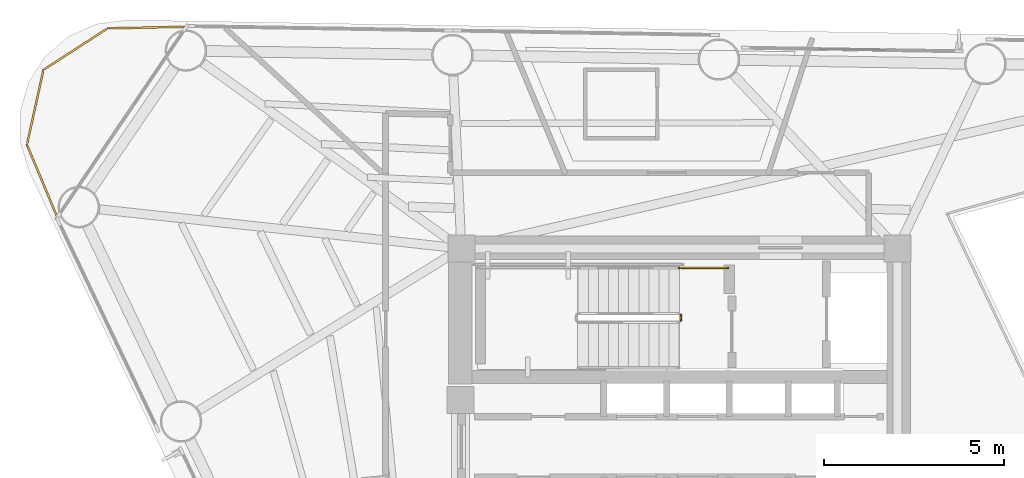
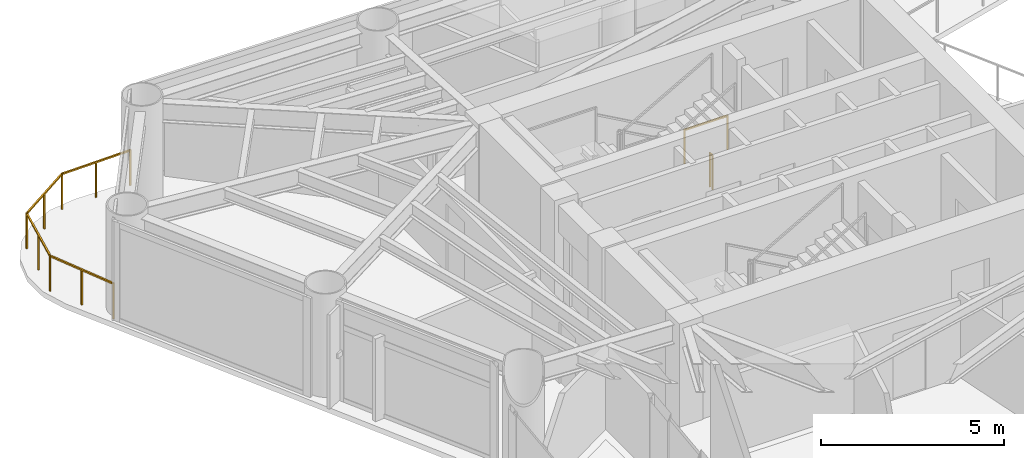
# One storey, part 8 of 9: 3 railings.
"""IFC4 building model written with IfcOpenShell, lengths in metres."""

from ifc_helpers import new_model, si_unit, direction, frame, origin, origin_2d, place, context, subcontext, project, spatial, rectangle, extrude, material, type_object, element, save


model = new_model("IFC4")

# Units and contexts
model_context = context("Model", 3, precision=1e-05, world=origin(), true_north=direction((0.0, 1.0)))
body_context = subcontext(model_context, "Body", "Model", "MODEL_VIEW")
ifc_project = project(units=[si_unit("LENGTHUNIT", "METRE"), si_unit("AREAUNIT", "SQUARE_METRE"), si_unit("VOLUMEUNIT", "CUBIC_METRE"), si_unit("PLANEANGLEUNIT", "RADIAN"), si_unit("MASSUNIT", "GRAM", prefix="KILO")], contexts=[model_context])

# Site, building, storey
site_placement = place(None, origin())
site = spatial("IfcSite", under=ifc_project, at=site_placement, CompositionType="ELEMENT")
building_placement = place(site_placement, origin())
building = spatial("IfcBuilding", under=site, at=building_placement, Name="Yunling Apex Tower", CompositionType="ELEMENT")
storey_placement = place(building_placement, frame((0.0, 0.0, 212.14990234375)))
storey = spatial("IfcBuildingStorey", under=building, at=storey_placement, Name="L52", CompositionType="ELEMENT", Elevation=212.14990234375)

# Railings
ifc_material_1 = material(Name="Bronze anodised aluminium", Category="aluminium")
railing_type_1 = type_object("IfcRailingType", Name="RL-BAL-1200", PredefinedType="BALUSTRADE", material=ifc_material_1)
railing_1_placement = place(storey_placement, frame((-17.253662109375, 6.364990234375, 0.0)))
element("IfcRailing", 1, at=railing_1_placement, inside=storey, type_object=railing_type_1, Name="RL-CRNSILL-L52-2", PredefinedType="BALUSTRADE", context=body_context, shape_type="SweptSolid", body=[
    extrude(rectangle(XDim=0.0439453125, YDim=0.0439453125, at=origin_2d()), origin(), (0.0, 0.0, 1.0), 1.199951171875),
    extrude(rectangle(XDim=0.0439453125, YDim=0.0439453125, at=origin_2d()), frame((-0.842529296875, 2.01416015625, 0.0)), (0.0, 0.0, 1.0), 1.199951171875),
    extrude(rectangle(XDim=0.050048828125, YDim=0.050048828125, at=origin_2d()), frame((-0.014892578125, 0.035400390625, 1.1748046875), z_axis=(-0.385901306975, 0.922540070282, 0.0), x_axis=(-0.922540070282, -0.385901306975, 0.0)), (0.0, 0.0, 1.0), 2.106689453125),
    extrude(rectangle(XDim=0.0439453125, YDim=0.0439453125, at=origin_2d()), frame((-0.42138671875, 1.007080078125, 0.0)), (0.0, 0.0, 1.0), 1.14599609375),
    extrude(rectangle(XDim=0.0439453125, YDim=0.0439453125, at=origin_2d()), frame((-0.384521484375, 4.089111328125, 0.0)), (0.0, 0.0, 1.0), 1.199951171875),
    extrude(rectangle(XDim=0.050048828125, YDim=0.050048828125, at=origin_2d()), frame((-0.834228515625, 2.051513671875, 1.1748046875), z_axis=(0.215543386307, 0.976494264509, 0.0), x_axis=(-0.976494264509, 0.215543386307, 0.0)), (0.0, 0.0, 1.0), 2.04833984375),
    extrude(rectangle(XDim=0.0439453125, YDim=0.0439453125, at=origin_2d()), frame((-0.613525390625, 3.0517578125, 0.0)), (0.0, 0.0, 1.0), 1.14599609375),
    extrude(rectangle(XDim=0.0439453125, YDim=0.0439453125, at=origin_2d()), frame((1.393310546875, 5.240234375, 0.0)), (0.0, 0.0, 1.0), 1.199951171875),
    extrude(rectangle(XDim=0.050048828125, YDim=0.050048828125, at=origin_2d()), frame((-0.352294921875, 4.10986328125, 1.1748046875), z_axis=(0.839406208654, 0.543504569322, 0.0), x_axis=(-0.543504569322, 0.839406208654, 0.0)), (0.0, 0.0, 1.0), 2.041259765625),
    extrude(rectangle(XDim=0.0439453125, YDim=0.0439453125, at=origin_2d()), frame((0.50439453125, 4.66455078125, 0.0)), (0.0, 0.0, 1.0), 1.14599609375),
    extrude(rectangle(XDim=0.0439453125, YDim=0.0439453125, at=origin_2d()), frame((3.5771484375, 5.284423828125, 0.0)), (0.0, 0.0, 1.0), 1.199951171875),
    extrude(rectangle(XDim=0.050048828125, YDim=0.050048828125, at=origin_2d()), frame((1.431640625, 5.240966796875, 1.1748046875), z_axis=(0.999795339927, 0.020230626778, 0.0), x_axis=(-0.020230626778, 0.999795339927, 0.0)), (0.0, 0.0, 1.0), 2.107666015625),
    extrude(rectangle(XDim=0.0439453125, YDim=0.0439453125, at=origin_2d()), frame((2.4853515625, 5.26220703125, 0.0)), (0.0, 0.0, 1.0), 1.14599609375),
])
ifc_material_2 = material(Name="Steel Q355B", Category="steel")
railing_type_2 = type_object("IfcRailingType", Name="RL-GRD-1150", PredefinedType="GUARDRAIL", material=ifc_material_2)
railing_2_placement = place(storey_placement, frame((0.0400390625, 3.64990234375, 0.0)))
element("IfcRailing", 2, at=railing_2_placement, inside=storey, type_object=railing_type_2, Name="L52 ST-1 stair guard 5", PredefinedType="GUARDRAIL", context=body_context, shape_type="SweptSolid", body=[
    extrude(rectangle(XDim=0.0439453125, YDim=0.0439453125, at=origin_2d()), origin(), (0.0, 0.0, 1.0), 1.14990234375),
    extrude(rectangle(XDim=0.0439453125, YDim=0.0439453125, at=origin_2d()), frame((0.0, -0.14990234375, 0.0)), (0.0, 0.0, 1.0), 1.14990234375),
    extrude(rectangle(XDim=0.050048828125, YDim=0.050048828125, at=origin_2d()), frame((0.0, -0.038330078125, 1.125), z_axis=(0.0, -1.0, 0.0), x_axis=(1.0, 0.0, 0.0)), (0.0, 0.0, 1.0), 0.0732421875),
])
railing_3_placement = place(storey_placement, frame((1.35009765625, 4.9599609375, 0.0)))
element("IfcRailing", 3, at=railing_3_placement, inside=storey, type_object=railing_type_2, Name="L52 ST-1 stair guard 6", PredefinedType="GUARDRAIL", context=body_context, shape_type="SweptSolid", body=[
    extrude(rectangle(XDim=0.0439453125, YDim=0.0439453125, at=origin_2d()), origin(), (0.0, 0.0, 1.0), 1.14990234375),
    extrude(rectangle(XDim=0.0439453125, YDim=0.0439453125, at=origin_2d()), frame((-1.360107421875, 0.0, 0.0)), (0.0, 0.0, 1.0), 1.14990234375),
    extrude(rectangle(XDim=0.050048828125, YDim=0.050048828125, at=origin_2d()), frame((-0.038330078125, 0.0, 1.125), z_axis=(-1.0, 0.0, 0.0), x_axis=(0.0, -1.0, 0.0)), (0.0, 0.0, 1.0), 1.283447265625),
])

save(model, "model.ifc")
